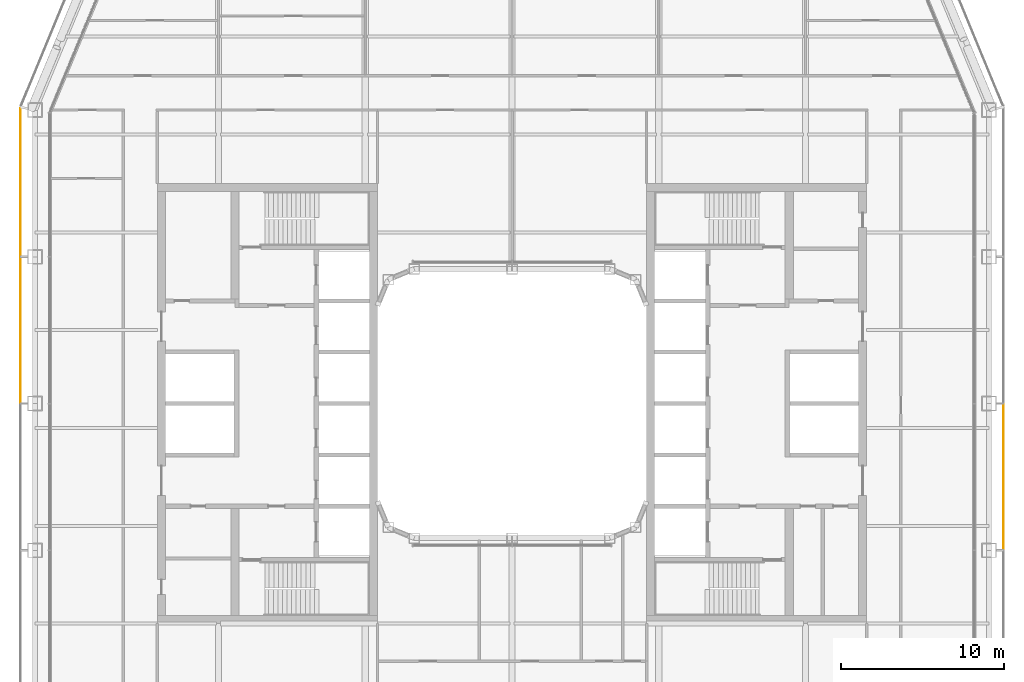
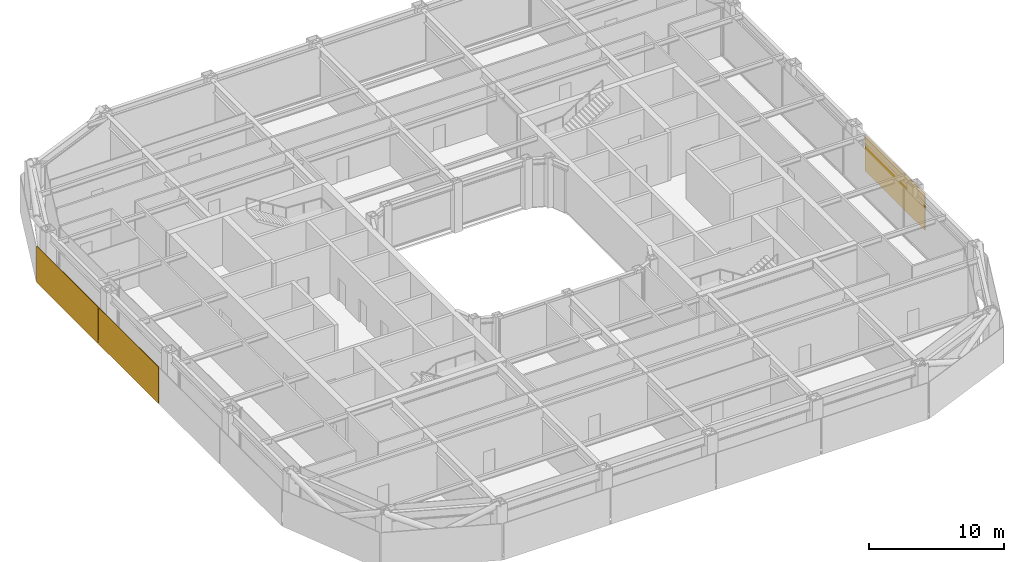
# One storey, part 19 of 21: 3 coverings.
"""IFC4 building model written with IfcOpenShell, lengths in metres."""

from ifc_helpers import new_model, si_unit, direction, frame, origin, origin_2d, place, context, subcontext, project, spatial, rectangle, extrude, material, layer, layer_set, type_object, element, save


model = new_model("IFC4")

# Units and contexts
model_context = context("Model", 3, precision=1e-05, world=origin(), true_north=direction((0.0, 1.0)))
body_context = subcontext(model_context, "Body", "Model", "MODEL_VIEW")
ifc_project = project(units=[si_unit("LENGTHUNIT", "METRE"), si_unit("AREAUNIT", "SQUARE_METRE"), si_unit("VOLUMEUNIT", "CUBIC_METRE"), si_unit("PLANEANGLEUNIT", "RADIAN"), si_unit("MASSUNIT", "GRAM", prefix="KILO")], contexts=[model_context])

# Site, building, storey
site_placement = place(None, origin())
site = spatial("IfcSite", under=ifc_project, at=site_placement, CompositionType="ELEMENT")
building_placement = place(site_placement, origin())
building = spatial("IfcBuilding", under=site, at=building_placement, Name="Siwar Civic Tower", CompositionType="ELEMENT")
storey_placement = place(building_placement, frame((0.0, 0.0, 158.699951171875)))
storey = spatial("IfcBuildingStorey", under=building, at=storey_placement, Name="L34", CompositionType="ELEMENT", Elevation=158.699951171875)

# Coverings
ifc_material_1 = material(Name="Perforated aluminium cassette, pale metal", Category="aluminium")
ifc_layer_1 = layer(ifc_material_1, 0.0400390625)
ifc_layer_set_1 = layer_set([ifc_layer_1], Name="Perforated aluminium cassette, pale metal")
covering_type_1 = type_object("IfcCoveringType", Name="ENV-OUTER SKIN OS-1", PredefinedType="CLADDING", material=ifc_layer_set_1)
covering_1_placement = place(storey_placement, frame((30.14990234375, -4.5, -0.14990234375), z_axis=(0.0, 0.0, 1.0), x_axis=(0.0, 1.0, 0.0)))
element("IfcCovering", 1, at=covering_1_placement, inside=storey, type_object=covering_type_1, Name="OUTER SKIN OS-1 E 2", PredefinedType="CLADDING", context=body_context, shape_type="SweptSolid", body=[
    extrude(rectangle(XDim=8.89990234375, YDim=0.0400390625, at=origin_2d()), origin(), (0.0, 0.0, 1.0), 3.300048828125),
])
ifc_material_2 = material(Name="Perforated aluminium cassette, pale metal", Category="aluminium")
ifc_layer_2 = layer(ifc_material_2, 0.050048828125)
ifc_layer_set_2 = layer_set([ifc_layer_2], Name="Perforated aluminium cassette, pale metal")
covering_type_2 = type_object("IfcCoveringType", Name="ENV-OUTER SKIN OS-3", PredefinedType="CLADDING", material=ifc_layer_set_2)
covering_2_placement = place(storey_placement, frame((-30.14990234375, 13.57958984375, -0.14990234375), z_axis=(0.0, 0.0, 1.0), x_axis=(0.0, -1.0, 0.0)))
element("IfcCovering", 2, at=covering_2_placement, inside=storey, type_object=covering_type_2, Name="OUTER SKIN OS-3 W 1", PredefinedType="CLADDING", context=body_context, shape_type="SweptSolid", body=[
    extrude(rectangle(XDim=9.05908203125, YDim=0.050048828125, at=origin_2d()), origin(), (0.0, 0.0, 1.0), 3.300048828125),
])
covering_3_placement = place(storey_placement, frame((-30.14990234375, 4.5, -0.14990234375), z_axis=(0.0, 0.0, 1.0), x_axis=(0.0, -1.0, 0.0)))
element("IfcCovering", 3, at=covering_3_placement, inside=storey, type_object=covering_type_2, Name="OUTER SKIN OS-3 W 2", PredefinedType="CLADDING", context=body_context, shape_type="SweptSolid", body=[
    extrude(rectangle(XDim=8.89990234375, YDim=0.050048828125, at=origin_2d()), origin(), (0.0, 0.0, 1.0), 3.300048828125),
])

save(model, "model.ifc")
